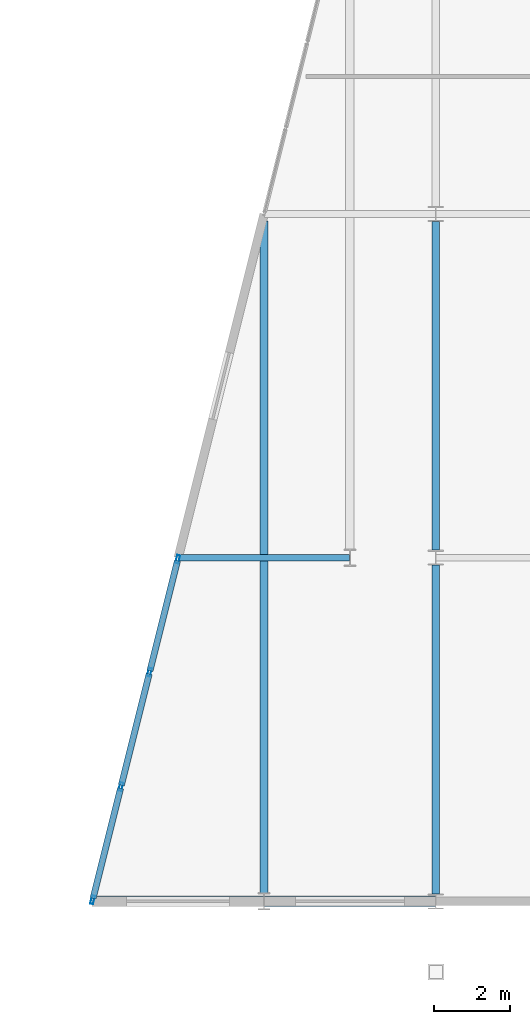
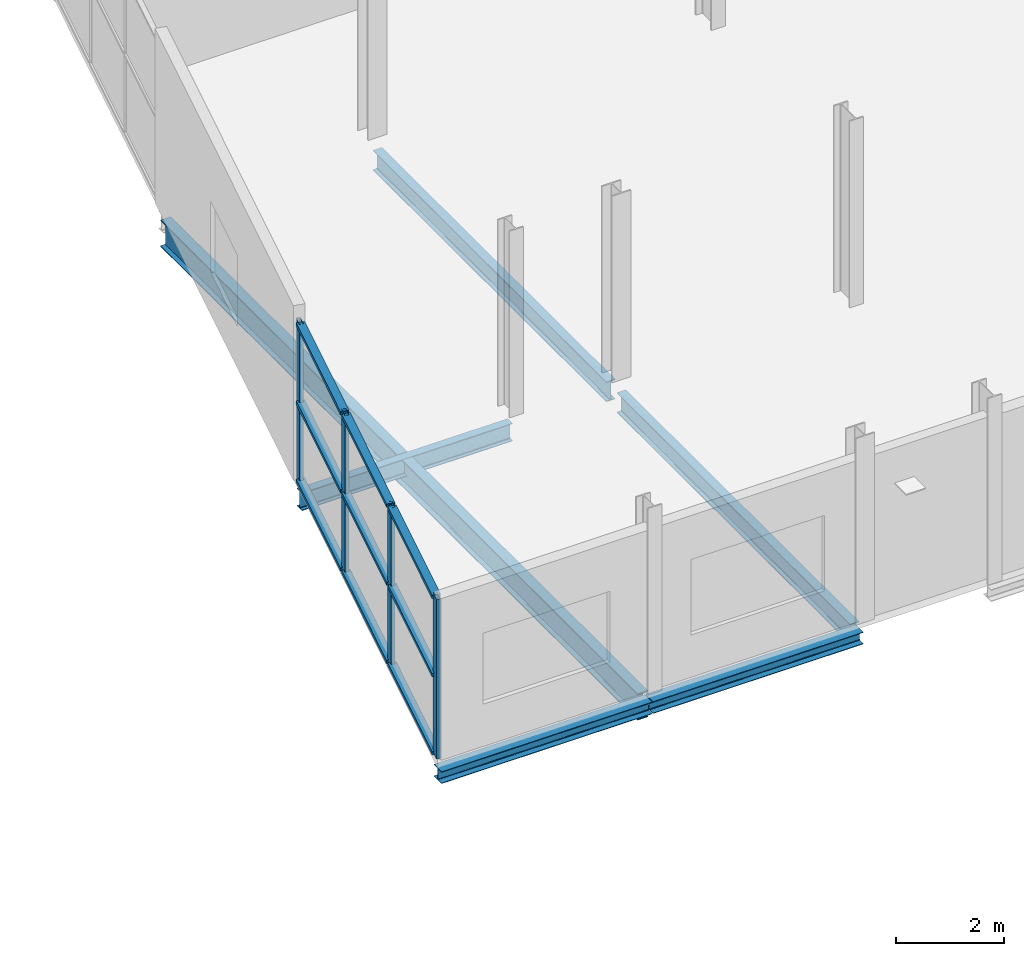
# One storey, part 50 of 132: 13 members, 6 beams, 1 element without a shape of its own.
"""IFC4 building model written with IfcOpenShell, lengths in metres."""

from ifc_helpers import new_model, si_unit, direction, frame, origin, origin_2d, place, context, subcontext, project, spatial, hollow_rectangle, i_section, extrude, material, layer, layer_set, material_profile, profile_set, type_object, element, aggregate, save


model = new_model("IFC4")

# Units and contexts
model_context = context("Model", 3, precision=1e-05, world=origin(), true_north=direction((0.0, 1.0)))
body_context = subcontext(model_context, "Body", "Model", "MODEL_VIEW")
ifc_project = project(units=[si_unit("LENGTHUNIT", "METRE"), si_unit("AREAUNIT", "SQUARE_METRE"), si_unit("VOLUMEUNIT", "CUBIC_METRE"), si_unit("PLANEANGLEUNIT", "RADIAN"), si_unit("MASSUNIT", "GRAM", prefix="KILO")], contexts=[model_context])

# Site, building, storey
site_placement = place(None, origin())
site = spatial("IfcSite", under=ifc_project, at=site_placement, CompositionType="ELEMENT")
building_placement = place(site_placement, origin())
building = spatial("IfcBuilding", under=site, at=building_placement, Name="Deido Ridge Mobility Hub", CompositionType="ELEMENT")
storey_placement = place(building_placement, frame((0.0, 0.0, 8.39990234375)))
storey = spatial("IfcBuildingStorey", under=building, at=storey_placement, Name="L02", CompositionType="ELEMENT", Elevation=8.39990234375)

# Beams
ifc_material_1 = material(Name="Steel S355J2 EN 10025-2", Category="steel")
ifc_material_profile_1 = material_profile(ifc_material_1, i_section(OverallWidth=0.179931640625, OverallDepth=0.39990234375, WebThickness=0.008544921875, FlangeThickness=0.013427734375, FilletRadius=0.02099609375, at=origin_2d()), Name="IPE 400")
ifc_profile_set_1 = profile_set([ifc_material_profile_1], Name="Steel S355J2 EN 10025-2")
beam_type_1 = type_object("IfcBeamType", Name="BM-IPE400", PredefinedType="BEAM", material=ifc_profile_set_1)
beam_1_placement = place(storey_placement, frame((119.256103515625, 9.0, -0.454833984375), z_axis=(1.0, 0.0, 0.0), x_axis=(0.0, 1.0, 0.0)))
element("IfcBeam", 1, at=beam_1_placement, inside=storey, type_object=beam_type_1, Name="Floor beam B5", PredefinedType="BEAM", context=body_context, shape_type="SweptSolid", body=[
    extrude(i_section(OverallWidth=0.179931640625, OverallDepth=0.39990234375, WebThickness=0.008544921875, FlangeThickness=0.013427734375, FilletRadius=0.02099609375, at=origin_2d()), origin(), (0.0, 0.0, 1.0), 4.48681640625),
])
ifc_material_profile_2 = material_profile(ifc_material_1, i_section(OverallWidth=0.18994140625, OverallDepth=0.449951171875, WebThickness=0.009521484375, FlangeThickness=0.0146484375, FilletRadius=0.02099609375, at=origin_2d()), Name="IPE 450")
ifc_profile_set_2 = profile_set([ifc_material_profile_2], Name="Steel S355J2 EN 10025-2")
beam_type_2 = type_object("IfcBeamType", Name="BM-IPE450", PredefinedType="BEAM", material=ifc_profile_set_2)
for number, where, z_axis, x_axis, name in (
    (2, (126.0, 0.196533203125, -0.47998046875), (0.0, 1.0, 0.0), (-1.0, 0.0, 0.0), "Floor beam B4"),
    (3, (126.0, 9.196533203125, -0.47998046875), (0.0, 1.0, 0.0), (-1.0, 0.0, 0.0), "Floor beam B4"),
):
    element("IfcBeam", number, at=place(storey_placement, frame(where, z_axis=z_axis, x_axis=x_axis)), inside=storey, type_object=beam_type_2, Name=name, PredefinedType="BEAM", context=body_context, shape_type="SweptSolid", body=[
        extrude(i_section(OverallWidth=0.18994140625, OverallDepth=0.449951171875, WebThickness=0.009521484375, FlangeThickness=0.0146484375, FilletRadius=0.02099609375, at=origin_2d()), origin(), (0.0, 0.0, 1.0), 8.60693359375),
    ])
ifc_material_profile_3 = material_profile(ifc_material_1, i_section(OverallWidth=0.219970703125, OverallDepth=0.60009765625, WebThickness=0.011962890625, FlangeThickness=0.01904296875, FilletRadius=0.02392578125, at=origin_2d()), Name="IPE 600")
ifc_profile_set_3 = profile_set([ifc_material_profile_3], Name="Steel S355J2 EN 10025-2")
beam_type_3 = type_object("IfcBeamType", Name="BM-IPE600", PredefinedType="BEAM", material=ifc_profile_set_3)
beam_2_placement = place(storey_placement, frame((121.5, 0.22509765625, -0.554931640625), z_axis=(0.0, 1.0, 0.0), x_axis=(-1.0, 0.0, 0.0)))
element("IfcBeam", 4, at=beam_2_placement, inside=storey, type_object=beam_type_3, Name="Floor beam B1", PredefinedType="BEAM", context=body_context, shape_type="SweptSolid", body=[
    extrude(i_section(OverallWidth=0.219970703125, OverallDepth=0.60009765625, WebThickness=0.011962890625, FlangeThickness=0.01904296875, FilletRadius=0.02392578125, at=origin_2d()), origin(), (0.0, 0.0, 1.0), 17.594970703125),
])

# Curtain wall, members
ifc_material_2 = material(Name="Anodised aluminium EN AW-6063 T6", Category="aluminium")
ifc_layer = layer(ifc_material_2, 0.27001953125, Name="Anodised aluminium EN AW-6063 T6")
ifc_layer_set = layer_set([ifc_layer], Name="Anodised aluminium EN AW-6063 T6")
curtain_wall_type = type_object("IfcCurtainWallType", Name="CW-UF-8", PredefinedType="USERDEFINED", material=ifc_layer_set)
curtain_wall_placement = place(storey_placement, origin())
curtain_wall = element("IfcCurtainWall", 5, at=curtain_wall_placement, inside=storey, type_object=curtain_wall_type, Name="Unitised curtain wall CW8", ObjectType="UNITISED FACADE", PredefinedType="USERDEFINED")
ifc_material_profile_4 = material_profile(ifc_material_2, hollow_rectangle(XDim=0.080078125, YDim=0.219970703125, WallThickness=0.00390625, at=origin_2d()), Name="RHS 80x220x4")
ifc_profile_set_4 = profile_set([ifc_material_profile_4], Name="Anodised aluminium EN AW-6063 T6")
member_type_1 = type_object("IfcMemberType", Name="MEM-MUL-80X220", PredefinedType="MULLION", material=ifc_profile_set_4)
member_1_placement = place(storey_placement, frame((117.009765625, 0.038818359375, 0.0), z_axis=(0.0, 0.0, 1.0), x_axis=(-0.970142500145, 0.242535625038, 0.0)))
member_1 = element("IfcMember", 6, at=member_1_placement, type_object=member_type_1, Name="CW8 mullion 1", PredefinedType="MULLION", context=body_context, shape_type="SweptSolid", body=[
    extrude(hollow_rectangle(XDim=0.080078125, YDim=0.219970703125, WallThickness=0.00390625, at=origin_2d()), origin(), (0.0, 0.0, 1.0), 3.60009765625),
])
member_2_placement = place(storey_placement, frame((117.75, 3.0, 0.0), z_axis=(0.0, 0.0, 1.0), x_axis=(-0.970142500145, 0.242535625038, 0.0)))
member_2 = element("IfcMember", 7, at=member_2_placement, type_object=member_type_1, Name="CW8 mullion 2", PredefinedType="MULLION", context=body_context, shape_type="SweptSolid", body=[
    extrude(hollow_rectangle(XDim=0.080078125, YDim=0.219970703125, WallThickness=0.00390625, at=origin_2d()), origin(), (0.0, 0.0, 1.0), 3.60009765625),
])
member_3_placement = place(storey_placement, frame((118.5, 6.0, 0.0), z_axis=(0.0, 0.0, 1.0), x_axis=(-0.970142500145, 0.242535625038, 0.0)))
member_3 = element("IfcMember", 8, at=member_3_placement, type_object=member_type_1, Name="CW8 mullion 3", PredefinedType="MULLION", context=body_context, shape_type="SweptSolid", body=[
    extrude(hollow_rectangle(XDim=0.080078125, YDim=0.219970703125, WallThickness=0.00390625, at=origin_2d()), origin(), (0.0, 0.0, 1.0), 3.60009765625),
])
member_4_placement = place(storey_placement, frame((119.240234375, 8.961181640625, 0.0), z_axis=(0.0, 0.0, 1.0), x_axis=(-0.970142500145, 0.242535625038, 0.0)))
member_4 = element("IfcMember", 9, at=member_4_placement, type_object=member_type_1, Name="CW8 mullion 4", PredefinedType="MULLION", context=body_context, shape_type="SweptSolid", body=[
    extrude(hollow_rectangle(XDim=0.080078125, YDim=0.219970703125, WallThickness=0.00390625, at=origin_2d()), origin(), (0.0, 0.0, 1.0), 3.60009765625),
])
ifc_material_profile_5 = material_profile(ifc_material_2, hollow_rectangle(XDim=0.1650390625, YDim=0.080078125, WallThickness=0.00390625, at=origin_2d()), Name="RHS 165x80x4")
ifc_profile_set_5 = profile_set([ifc_material_profile_5], Name="Anodised aluminium EN AW-6063 T6")
member_type_2 = type_object("IfcMemberType", Name="MEM-TRN-165X80", PredefinedType="USERDEFINED", material=ifc_profile_set_5)
member_5_placement = place(storey_placement, frame((117.019287109375, 0.07763671875, 0.0400390625), z_axis=(0.242554951691, 0.970137668277, 0.0), x_axis=(-0.970137668277, 0.242554951691, 0.0)))
member_5 = element("IfcMember", 10, at=member_5_placement, type_object=member_type_2, Name="CW8 transom 1.1", ObjectType="TRANSOM", PredefinedType="USERDEFINED", context=body_context, shape_type="SweptSolid", body=[
    extrude(hollow_rectangle(XDim=0.1650390625, YDim=0.080078125, WallThickness=0.00390625, at=origin_2d()), origin(), (0.0, 0.0, 1.0), 2.972412109375),
])
member_6_placement = place(storey_placement, frame((117.019287109375, 0.07763671875, 1.800048828125), z_axis=(0.242554951691, 0.970137668277, 0.0), x_axis=(-0.970137668277, 0.242554951691, 0.0)))
member_6 = element("IfcMember", 11, at=member_6_placement, type_object=member_type_2, Name="CW8 transom 1.2", ObjectType="TRANSOM", PredefinedType="USERDEFINED", context=body_context, shape_type="SweptSolid", body=[
    extrude(hollow_rectangle(XDim=0.1650390625, YDim=0.080078125, WallThickness=0.00390625, at=origin_2d()), origin(), (0.0, 0.0, 1.0), 2.972412109375),
])
member_7_placement = place(storey_placement, frame((117.019287109375, 0.07763671875, 3.56005859375), z_axis=(0.242554951691, 0.970137668277, 0.0), x_axis=(-0.970137668277, 0.242554951691, 0.0)))
member_7 = element("IfcMember", 12, at=member_7_placement, type_object=member_type_2, Name="CW8 transom 1.3", ObjectType="TRANSOM", PredefinedType="USERDEFINED", context=body_context, shape_type="SweptSolid", body=[
    extrude(hollow_rectangle(XDim=0.1650390625, YDim=0.080078125, WallThickness=0.00390625, at=origin_2d()), origin(), (0.0, 0.0, 1.0), 2.972412109375),
])
member_8_placement = place(storey_placement, frame((117.759765625, 3.038818359375, 0.0400390625), z_axis=(0.24249748432, 0.970152034528, 0.0), x_axis=(-0.970152034528, 0.24249748432, 0.0)))
member_8 = element("IfcMember", 13, at=member_8_placement, type_object=member_type_2, Name="CW8 transom 2.1", ObjectType="TRANSOM", PredefinedType="USERDEFINED", context=body_context, shape_type="SweptSolid", body=[
    extrude(hollow_rectangle(XDim=0.1650390625, YDim=0.080078125, WallThickness=0.00390625, at=origin_2d()), origin(), (0.0, 0.0, 1.0), 3.01220703125),
])
member_9_placement = place(storey_placement, frame((117.759765625, 3.038818359375, 1.800048828125), z_axis=(0.24249748432, 0.970152034528, 0.0), x_axis=(-0.970152034528, 0.24249748432, 0.0)))
member_9 = element("IfcMember", 14, at=member_9_placement, type_object=member_type_2, Name="CW8 transom 2.2", ObjectType="TRANSOM", PredefinedType="USERDEFINED", context=body_context, shape_type="SweptSolid", body=[
    extrude(hollow_rectangle(XDim=0.1650390625, YDim=0.080078125, WallThickness=0.00390625, at=origin_2d()), origin(), (0.0, 0.0, 1.0), 3.01220703125),
])
member_10_placement = place(storey_placement, frame((117.759765625, 3.038818359375, 3.56005859375), z_axis=(0.24249748432, 0.970152034528, 0.0), x_axis=(-0.970152034528, 0.24249748432, 0.0)))
member_10 = element("IfcMember", 15, at=member_10_placement, type_object=member_type_2, Name="CW8 transom 2.3", ObjectType="TRANSOM", PredefinedType="USERDEFINED", context=body_context, shape_type="SweptSolid", body=[
    extrude(hollow_rectangle(XDim=0.1650390625, YDim=0.080078125, WallThickness=0.00390625, at=origin_2d()), origin(), (0.0, 0.0, 1.0), 3.01220703125),
])
member_11_placement = place(storey_placement, frame((118.509765625, 6.038818359375, 0.0400390625), z_axis=(0.242554951691, 0.970137668277, 0.0), x_axis=(-0.970137668277, 0.242554951691, 0.0)))
member_11 = element("IfcMember", 16, at=member_11_placement, type_object=member_type_2, Name="CW8 transom 3.1", ObjectType="TRANSOM", PredefinedType="USERDEFINED", context=body_context, shape_type="SweptSolid", body=[
    extrude(hollow_rectangle(XDim=0.1650390625, YDim=0.080078125, WallThickness=0.00390625, at=origin_2d()), origin(), (0.0, 0.0, 1.0), 2.972412109375),
])
member_12_placement = place(storey_placement, frame((118.509765625, 6.038818359375, 1.800048828125), z_axis=(0.242554951691, 0.970137668277, 0.0), x_axis=(-0.970137668277, 0.242554951691, 0.0)))
member_12 = element("IfcMember", 17, at=member_12_placement, type_object=member_type_2, Name="CW8 transom 3.2", ObjectType="TRANSOM", PredefinedType="USERDEFINED", context=body_context, shape_type="SweptSolid", body=[
    extrude(hollow_rectangle(XDim=0.1650390625, YDim=0.080078125, WallThickness=0.00390625, at=origin_2d()), origin(), (0.0, 0.0, 1.0), 2.972412109375),
])
member_13_placement = place(storey_placement, frame((118.509765625, 6.038818359375, 3.56005859375), z_axis=(0.242554951691, 0.970137668277, 0.0), x_axis=(-0.970137668277, 0.242554951691, 0.0)))
member_13 = element("IfcMember", 18, at=member_13_placement, type_object=member_type_2, Name="CW8 transom 3.3", ObjectType="TRANSOM", PredefinedType="USERDEFINED", context=body_context, shape_type="SweptSolid", body=[
    extrude(hollow_rectangle(XDim=0.1650390625, YDim=0.080078125, WallThickness=0.00390625, at=origin_2d()), origin(), (0.0, 0.0, 1.0), 2.972412109375),
])
aggregate(curtain_wall, [member_1, member_2, member_3, member_4, member_5, member_6, member_7, member_8, member_9, member_10, member_11, member_12, member_13])

# Beams
ifc_material_profile_6 = material_profile(ifc_material_1, i_section(OverallWidth=0.280029296875, OverallDepth=0.27001953125, WebThickness=0.008056640625, FlangeThickness=0.012939453125, FilletRadius=0.02392578125, at=origin_2d()), Name="HEA 280")
ifc_profile_set_6 = profile_set([ifc_material_profile_6], Name="Steel S355J2 EN 10025-2")
beam_type_4 = type_object("IfcBeamType", Name="SPD-HEA280", PredefinedType="SPANDREL", material=ifc_profile_set_6)
beam_3_placement = place(storey_placement, frame((117.006103515625, 0.0, -0.389892578125), z_axis=(1.0, 0.0, 0.0), x_axis=(0.0, 1.0, 0.0)))
element("IfcBeam", 19, at=beam_3_placement, inside=storey, type_object=beam_type_4, Name="Floor beam SP2", PredefinedType="SPANDREL", context=body_context, shape_type="SweptSolid", body=[
    extrude(i_section(OverallWidth=0.280029296875, OverallDepth=0.27001953125, WebThickness=0.008056640625, FlangeThickness=0.012939453125, FilletRadius=0.02392578125, at=origin_2d()), origin(), (0.0, 0.0, 1.0), 4.48681640625),
])
beam_4_placement = place(storey_placement, frame((121.507080078125, 0.0, -0.389892578125), z_axis=(1.0, 0.0, 0.0), x_axis=(0.0, 1.0, 0.0)))
element("IfcBeam", 20, at=beam_4_placement, inside=storey, type_object=beam_type_4, Name="Floor beam SP2", PredefinedType="SPANDREL", context=body_context, shape_type="SweptSolid", body=[
    extrude(i_section(OverallWidth=0.280029296875, OverallDepth=0.27001953125, WebThickness=0.008056640625, FlangeThickness=0.012939453125, FilletRadius=0.02392578125, at=origin_2d()), origin(), (0.0, 0.0, 1.0), 4.484130859375),
])

save(model, "model.ifc")
